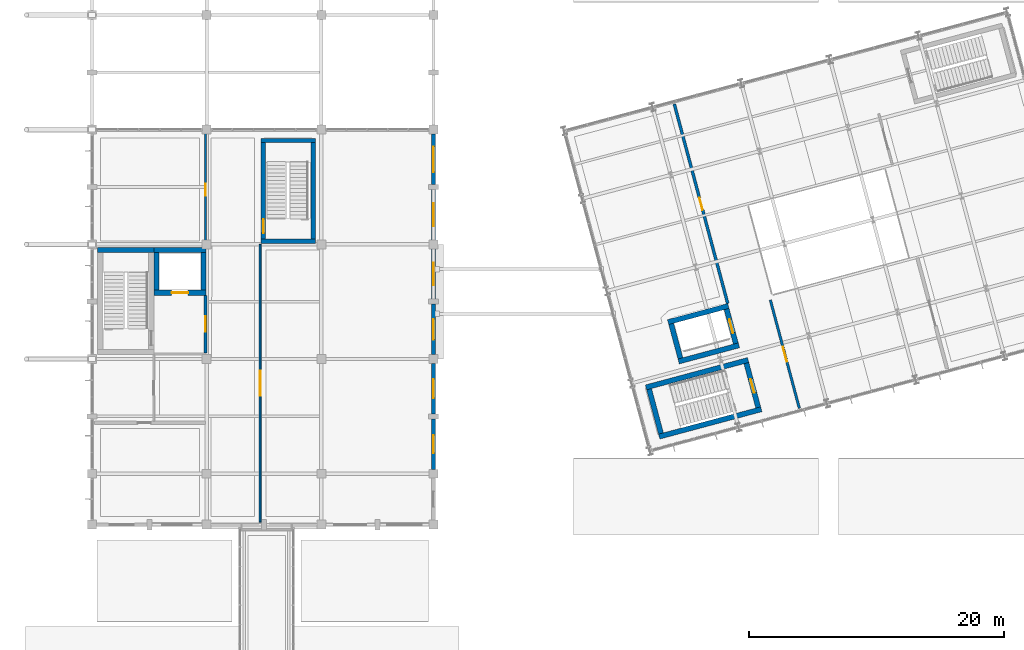
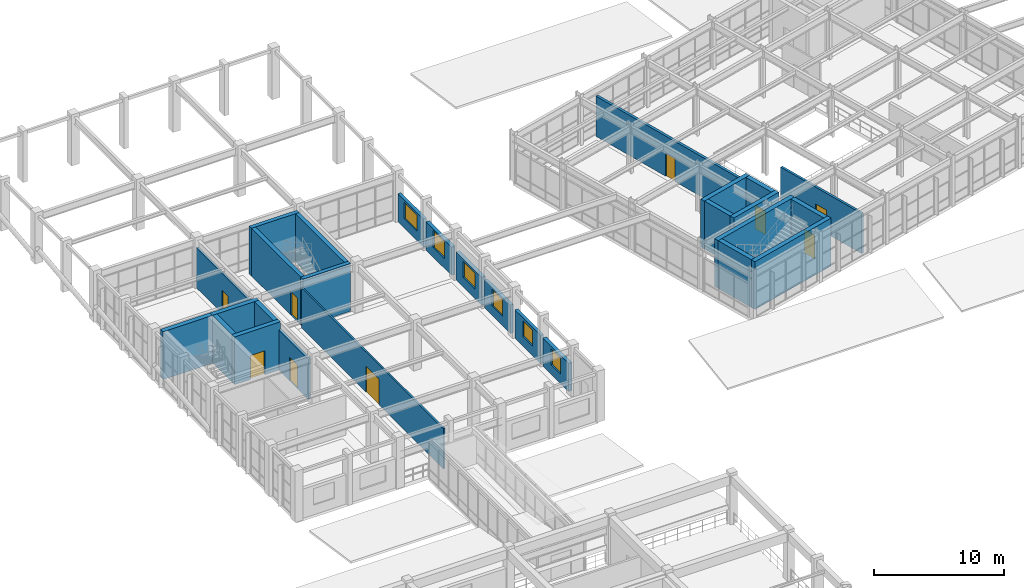
# One storey, part 83 of 104: 28 walls, 9 doors, 6 windows, 15 openings.
"""IFC4 building model written with IfcOpenShell, lengths in metres."""

from ifc_helpers import new_model, si_unit, direction, frame, frame_2d, origin, place, context, subcontext, project, spatial, rectangle, extrude, material, layer, layer_set, type_object, element, fill, save


model = new_model("IFC4")

# Units and contexts
model_context = context("Model", 3, precision=1e-05, world=origin(), true_north=direction((0.0, 1.0)))
body_context = subcontext(model_context, "Body", "Model", "MODEL_VIEW")
ifc_project = project(units=[si_unit("LENGTHUNIT", "METRE"), si_unit("AREAUNIT", "SQUARE_METRE"), si_unit("VOLUMEUNIT", "CUBIC_METRE"), si_unit("PLANEANGLEUNIT", "RADIAN"), si_unit("MASSUNIT", "GRAM", prefix="KILO")], contexts=[model_context])

# Site, building, storey
site_placement = place(None, origin())
site = spatial("IfcSite", under=ifc_project, at=site_placement, CompositionType="ELEMENT")
building_placement = place(site_placement, origin())
building = spatial("IfcBuilding", under=site, at=building_placement, Name="Ventoquebrada Cableway Terminal", CompositionType="ELEMENT")
storey_placement = place(building_placement, frame((0.0, 0.0, 4.800048828125)))
storey = spatial("IfcBuildingStorey", under=building, at=storey_placement, Name="L01", CompositionType="ELEMENT", Elevation=4.800048828125)

# Wall
ifc_material_1 = material(Name="Concrete C40/50", Category="concrete")
ifc_layer_1 = layer(ifc_material_1, 0.39990234375)
ifc_layer_set_1 = layer_set([ifc_layer_1], Name="Concrete C40/50")
wall_type_1 = type_object("IfcWallType", Name="WL-CR1", PredefinedType="SHEAR", material=ifc_layer_set_1)
wall_1_placement = place(storey_placement, frame((13.050048828125, 85.550048828125, 0.0), z_axis=(0.0, 0.0, 1.0), x_axis=(-1.0, 0.0, 0.0)))
element("IfcWall", 1, at=wall_1_placement, inside=storey, type_object=wall_type_1, Name="Core shear wall IW-0059", PredefinedType="SHEAR", context=body_context, shape_type="SweptSolid", body=[
    extrude(rectangle(XDim=4.400146484375, YDim=0.39990234375, at=frame_2d((2.2001953125, 0.0))), origin(), (0.0, 0.0, 1.0), 4.489990234375),
])

# Wall, opening, door
wall_2_placement = place(storey_placement, frame((13.050048828125, 82.199951171875, 0.0), z_axis=(0.0, 0.0, 1.0), x_axis=(1.0, 0.0, 0.0)))
wall_2 = element("IfcWall", 2, at=wall_2_placement, inside=storey, type_object=wall_type_1, Name="Core shear wall IW-0061", PredefinedType="SHEAR", context=body_context, shape_type="SweptSolid", body=[
    extrude(rectangle(XDim=4.099853515625, YDim=0.39990234375, at=frame_2d((2.0498046875, 0.0))), origin(), (0.0, 0.0, 1.0), 4.489990234375),
])
opening_1_placement = place(wall_2_placement, frame((1.39990234375, 0.0, 0.0)))
opening_1 = element("IfcOpeningElement", 3, at=opening_1_placement, cuts=wall_2, Name="Opening LD-007", PredefinedType="OPENING", context=body_context, shape_type="SweptSolid", body=[
    extrude(rectangle(XDim=1.300048828125, YDim=2.25, at=frame_2d((0.64990234375, 1.125))), frame((0.0, 0.2099609375, 0.0), z_axis=(0.0, -1.0, 0.0), x_axis=(1.0, 0.0, 0.0)), (0.0, 0.0, 1.0), 0.419921875),
])
ifc_material_2 = material(Name="Brushed stainless steel Grade 316", Category="steel")
door_type_1 = type_object("IfcDoorType", Name="DT-LD02", OperationType="SLIDING_TO_RIGHT", PredefinedType="DOOR", material=ifc_material_2)
door_1_placement = place(opening_1_placement, origin())
door_1 = element("IfcDoor", 4, at=door_1_placement, inside=storey, type_object=door_type_1, Name="Lift landing sliding door LD-007", OperationType="SLIDING_TO_RIGHT", OverallHeight=2.25, OverallWidth=1.300048828125, PredefinedType="DOOR", context=body_context, shape_type="SweptSolid", body=[
    extrude(rectangle(XDim=1.300048828125, YDim=2.25, at=frame_2d((0.64990234375, 1.125))), frame((0.0, 0.02490234375, 0.0), z_axis=(0.0, -1.0, 0.0), x_axis=(1.0, 0.0, 0.0)), (0.0, 0.0, 1.0), 0.050048828125),
])
fill(opening_1, door_1)

# Walls
wall_3_placement = place(storey_placement, frame((16.949951171875, 82.39990234375, 0.0), z_axis=(0.0, 0.0, 1.0), x_axis=(0.0, 1.0, 0.0)))
element("IfcWall", 5, at=wall_3_placement, inside=storey, type_object=wall_type_1, Name="Core shear wall IW-0062", PredefinedType="SHEAR", context=body_context, shape_type="SweptSolid", body=[
    extrude(rectangle(XDim=2.9501953125, YDim=0.39990234375, at=frame_2d((1.47509765625, 0.0))), origin(), (0.0, 0.0, 1.0), 4.489990234375),
])
wall_4_placement = place(storey_placement, frame((17.14990234375, 85.550048828125, 0.0), z_axis=(0.0, 0.0, 1.0), x_axis=(-1.0, 0.0, 0.0)))
element("IfcWall", 6, at=wall_4_placement, inside=storey, type_object=wall_type_1, Name="Core shear wall IW-0063", PredefinedType="SHEAR", context=body_context, shape_type="SweptSolid", body=[
    extrude(rectangle(XDim=4.099853515625, YDim=0.39990234375, at=frame_2d((2.0498046875, 0.0))), origin(), (0.0, 0.0, 1.0), 4.489990234375),
])
wall_5_placement = place(storey_placement, frame((13.25, 85.35009765625, 0.0), z_axis=(0.0, 0.0, 1.0), x_axis=(0.0, -1.0, 0.0)))
element("IfcWall", 7, at=wall_5_placement, inside=storey, type_object=wall_type_1, Name="Core shear wall IW-0064", PredefinedType="SHEAR", context=body_context, shape_type="SweptSolid", body=[
    extrude(rectangle(XDim=2.9501953125, YDim=0.39990234375, at=frame_2d((1.47509765625, 0.0))), origin(), (0.0, 0.0, 1.0), 4.489990234375),
])
wall_6_placement = place(storey_placement, frame((52.7109375, 70.912109375, 0.0), z_axis=(0.0, 0.0, 1.0), x_axis=(0.965903141159, 0.258903692322, 0.0)))
element("IfcWall", 8, at=wall_6_placement, inside=storey, type_object=wall_type_1, Name="Core shear wall IW-0105", PredefinedType="SHEAR", context=body_context, shape_type="SweptSolid", body=[
    extrude(rectangle(XDim=8.300048828125, YDim=0.39990234375, at=frame_2d((4.14990234375, 0.0))), origin(), (0.0, 0.0, 1.0), 4.489990234375),
])

# Wall, opening, door
wall_7_placement = place(storey_placement, frame((60.48291015625, 73.201904296875, 0.0), z_axis=(0.0, 0.0, 1.0), x_axis=(-0.258553052639, 0.965997059504, 0.0)))
wall_7 = element("IfcWall", 9, at=wall_7_placement, inside=storey, type_object=wall_type_1, Name="Core shear wall IW-0106", PredefinedType="SHEAR", context=body_context, shape_type="SweptSolid", body=[
    extrude(rectangle(XDim=3.600341796875, YDim=0.39990234375, at=frame_2d((1.80029296875, 0.0))), origin(), (0.0, 0.0, 1.0), 4.489990234375),
])
opening_2_placement = place(wall_7_placement, frame((1.199951171875, 0.0, 0.0)))
opening_2 = element("IfcOpeningElement", 10, at=opening_2_placement, cuts=wall_7, Name="Opening D-013", PredefinedType="OPENING", context=body_context, shape_type="SweptSolid", body=[
    extrude(rectangle(XDim=1.10009765625, YDim=2.199951171875, at=frame_2d((0.550048828125, 1.10009765625))), frame((0.0, 0.2099609375, 0.0), z_axis=(0.0, -1.0, 0.0), x_axis=(1.0, 0.0, 0.0)), (0.0, 0.0, 1.0), 0.419921875),
])
ifc_material_3 = material(Name="Galvanized fire-rated steel door assembly", Category="steel")
door_type_2 = type_object("IfcDoorType", Name="DT-IN05", OperationType="SINGLE_SWING_LEFT", PredefinedType="DOOR", material=ifc_material_3)
door_2_placement = place(opening_2_placement, origin())
door_2 = element("IfcDoor", 11, at=door_2_placement, inside=storey, type_object=door_type_2, Name="Core K2-S stair fire door D-013", OperationType="SINGLE_SWING_RIGHT", OverallHeight=2.199951171875, OverallWidth=1.10009765625, PredefinedType="DOOR", context=body_context, shape_type="SweptSolid", body=[
    extrude(rectangle(XDim=1.10009765625, YDim=2.199951171875, at=frame_2d((0.550048828125, 1.10009765625))), frame((0.0, 0.02490234375, 0.0), z_axis=(0.0, -1.0, 0.0), x_axis=(1.0, 0.0, 0.0)), (0.0, 0.0, 1.0), 0.050048828125),
])
fill(opening_2, door_2)

# Walls
wall_8_placement = place(storey_placement, frame((59.693115234375, 76.925048828125, 0.0), z_axis=(0.0, 0.0, 1.0), x_axis=(-0.965895785046, -0.258931134532, 0.0)))
element("IfcWall", 12, at=wall_8_placement, inside=storey, type_object=wall_type_1, Name="Core shear wall IW-0107", PredefinedType="SHEAR", context=body_context, shape_type="SweptSolid", body=[
    extrude(rectangle(XDim=8.300048828125, YDim=0.39990234375, at=frame_2d((4.14990234375, 0.0))), origin(), (0.0, 0.0, 1.0), 4.489990234375),
])
wall_9_placement = place(storey_placement, frame((51.9208984375, 74.635009765625, 0.0), z_axis=(0.0, 0.0, 1.0), x_axis=(0.258616326312, -0.965980121827, 0.0)))
element("IfcWall", 13, at=wall_9_placement, inside=storey, type_object=wall_type_1, Name="Core shear wall IW-0108", PredefinedType="SHEAR", context=body_context, shape_type="SweptSolid", body=[
    extrude(rectangle(XDim=3.6005859375, YDim=0.39990234375, at=frame_2d((1.80029296875, 0.0))), origin(), (0.0, 0.0, 1.0), 4.489990234375),
])
wall_10_placement = place(storey_placement, frame((54.237060546875, 76.80810546875, 0.0), z_axis=(0.0, 0.0, 1.0), x_axis=(0.96589421857, 0.258936977917, 0.0)))
element("IfcWall", 14, at=wall_10_placement, inside=storey, type_object=wall_type_1, Name="Core shear wall IW-0109", PredefinedType="SHEAR", context=body_context, shape_type="SweptSolid", body=[
    extrude(rectangle(XDim=4.900146484375, YDim=0.39990234375, at=frame_2d((2.4501953125, 0.0))), origin(), (0.0, 0.0, 1.0), 4.489990234375),
])

# Wall, opening, door
wall_11_placement = place(storey_placement, frame((58.72509765625, 78.218017578125, 0.0), z_axis=(0.0, 0.0, 1.0), x_axis=(-0.258585009686, 0.965988505504, 0.0)))
wall_11 = element("IfcWall", 15, at=wall_11_placement, inside=storey, type_object=wall_type_1, Name="Core shear wall IW-0110", PredefinedType="SHEAR", context=body_context, shape_type="SweptSolid", body=[
    extrude(rectangle(XDim=2.80029296875, YDim=0.39990234375, at=frame_2d((1.400146484375, 0.0))), origin(), (0.0, 0.0, 1.0), 4.489990234375),
])
opening_3_placement = place(wall_11_placement, frame((0.85009765625, 0.0, 0.0)))
opening_3 = element("IfcOpeningElement", 16, at=opening_3_placement, cuts=wall_11, Name="Opening LD-013", PredefinedType="OPENING", context=body_context, shape_type="SweptSolid", body=[
    extrude(rectangle(XDim=1.10009765625, YDim=2.199951171875, at=frame_2d((0.550048828125, 1.10009765625))), frame((0.0, 0.2099609375, 0.0), z_axis=(0.0, -1.0, 0.0), x_axis=(1.0, 0.0, 0.0)), (0.0, 0.0, 1.0), 0.419921875),
])
door_type_3 = type_object("IfcDoorType", Name="DT-LD01", OperationType="SLIDING_TO_LEFT", PredefinedType="DOOR", material=ifc_material_2)
door_3_placement = place(opening_3_placement, origin())
door_3 = element("IfcDoor", 17, at=door_3_placement, inside=storey, type_object=door_type_3, Name="Lift landing sliding door LD-013", OperationType="SLIDING_TO_RIGHT", OverallHeight=2.199951171875, OverallWidth=1.10009765625, PredefinedType="DOOR", context=body_context, shape_type="SweptSolid", body=[
    extrude(rectangle(XDim=1.10009765625, YDim=2.199951171875, at=frame_2d((0.550048828125, 1.10009765625))), frame((0.0, 0.02490234375, 0.0), z_axis=(0.0, -1.0, 0.0), x_axis=(1.0, 0.0, 0.0)), (0.0, 0.0, 1.0), 0.050048828125),
])
fill(opening_3, door_3)

# Walls
wall_12_placement = place(storey_placement, frame((58.14208984375, 81.16796875, 0.0), z_axis=(0.0, 0.0, 1.0), x_axis=(-0.965885097819, -0.258970998012, 0.0)))
element("IfcWall", 18, at=wall_12_placement, inside=storey, type_object=wall_type_1, Name="Core shear wall IW-0111", PredefinedType="SHEAR", context=body_context, shape_type="SweptSolid", body=[
    extrude(rectangle(XDim=4.900390625, YDim=0.39990234375, at=frame_2d((2.4501953125, 0.0))), origin(), (0.0, 0.0, 1.0), 4.489990234375),
])
wall_13_placement = place(storey_placement, frame((53.654052734375, 79.758056640625, 0.0), z_axis=(0.0, 0.0, 1.0), x_axis=(0.258503653459, -0.966010280043, 0.0)))
element("IfcWall", 19, at=wall_13_placement, inside=storey, type_object=wall_type_1, Name="Core shear wall IW-0112", PredefinedType="SHEAR", context=body_context, shape_type="SweptSolid", body=[
    extrude(rectangle(XDim=2.80029296875, YDim=0.39990234375, at=frame_2d((1.400146484375, 0.0))), origin(), (0.0, 0.0, 1.0), 4.489990234375),
])

# Wall, opening, window
ifc_material_4 = material(Name="Precast architectural concrete C40/50", Category="concrete")
ifc_layer_2 = layer(ifc_material_4, 0.280029296875)
ifc_layer_set_2 = layer_set([ifc_layer_2], Name="Precast architectural concrete C40/50")
wall_type_2 = type_object("IfcWallType", Name="WL-EX1", PredefinedType="SOLIDWALL", material=ifc_layer_set_2)
wall_14_placement = place(storey_placement, frame((35.0, 72.695068359375, 0.0), z_axis=(0.0, 0.0, 1.0), x_axis=(0.0, 1.0, 0.0)))
wall_14 = element("IfcWall", 20, at=wall_14_placement, inside=storey, type_object=wall_type_2, Name="Exterior architectural wall EW-0149", PredefinedType="SOLIDWALL", context=body_context, shape_type="SweptSolid", body=[
    extrude(rectangle(XDim=3.9599609375, YDim=0.280029296875, at=frame_2d((1.97998046875, 0.0))), origin(), (0.0, 0.0, 1.0), 2.64794921875),
])
opening_4_placement = place(wall_14_placement, frame((1.22998046875, 0.0, 0.89990234375)))
opening_4 = element("IfcOpeningElement", 21, at=opening_4_placement, cuts=wall_14, Name="Opening WN-063", PredefinedType="OPENING", context=body_context, shape_type="SweptSolid", body=[
    extrude(rectangle(XDim=1.5, YDim=1.5, at=frame_2d((0.75, 0.75))), frame((0.0, 0.14990234375, 0.0), z_axis=(0.0, -1.0, 0.0), x_axis=(1.0, 0.0, 0.0)), (0.0, 0.0, 1.0), 0.300048828125),
])
ifc_material_5 = material(Name="Double low-e laminated safety glazing", Category="glass")
window_type_1 = type_object("IfcWindowType", Name="WT-03", PartitioningType="SINGLE_PANEL", PredefinedType="WINDOW", material=ifc_material_5)
window_1_placement = place(opening_4_placement, origin())
window_1 = element("IfcWindow", 22, at=window_1_placement, inside=storey, type_object=window_type_1, Name="Architectural punched window WN-063", OverallHeight=1.5, OverallWidth=1.5, PartitioningType="SINGLE_PANEL", PredefinedType="WINDOW", context=body_context, shape_type="SweptSolid", body=[
    extrude(rectangle(XDim=1.5, YDim=1.5, at=frame_2d((0.75, 0.75))), frame((0.0, 0.030029296875, 0.0), z_axis=(0.0, -1.0, 0.0), x_axis=(1.0, 0.0, 0.0)), (0.0, 0.0, 1.0), 0.06005859375),
])
fill(opening_4, window_1)

wall_15_placement = place(storey_placement, frame((35.0, 77.344970703125, 0.0), z_axis=(0.0, 0.0, 1.0), x_axis=(0.0, 1.0, 0.0)))
wall_15 = element("IfcWall", 23, at=wall_15_placement, inside=storey, type_object=wall_type_2, Name="Exterior architectural wall EW-0150", PredefinedType="SOLIDWALL", context=body_context, shape_type="SweptSolid", body=[
    extrude(rectangle(XDim=3.9599609375, YDim=0.280029296875, at=frame_2d((1.97998046875, 0.0))), origin(), (0.0, 0.0, 1.0), 2.64794921875),
])
opening_5_placement = place(wall_15_placement, frame((1.179931640625, 0.0, 0.89990234375)))
opening_5 = element("IfcOpeningElement", 24, at=opening_5_placement, cuts=wall_15, Name="Opening WN-064", PredefinedType="OPENING", context=body_context, shape_type="SweptSolid", body=[
    extrude(rectangle(XDim=1.60009765625, YDim=1.550048828125, at=frame_2d((0.800048828125, 0.77490234375))), frame((0.0, 0.14990234375, 0.0), z_axis=(0.0, -1.0, 0.0), x_axis=(1.0, 0.0, 0.0)), (0.0, 0.0, 1.0), 0.300048828125),
])
window_type_2 = type_object("IfcWindowType", Name="WT-04", PartitioningType="SINGLE_PANEL", PredefinedType="WINDOW", material=ifc_material_5)
window_2_placement = place(opening_5_placement, origin())
window_2 = element("IfcWindow", 25, at=window_2_placement, inside=storey, type_object=window_type_2, Name="Architectural punched window WN-064", OverallHeight=1.550048828125, OverallWidth=1.60009765625, PartitioningType="SINGLE_PANEL", PredefinedType="WINDOW", context=body_context, shape_type="SweptSolid", body=[
    extrude(rectangle(XDim=1.60009765625, YDim=1.550048828125, at=frame_2d((0.800048828125, 0.77490234375))), frame((0.0, 0.030029296875, 0.0), z_axis=(0.0, -1.0, 0.0), x_axis=(1.0, 0.0, 0.0)), (0.0, 0.0, 1.0), 0.06005859375),
])
fill(opening_5, window_2)

wall_16_placement = place(storey_placement, frame((35.0, 90.695068359375, 0.0), z_axis=(0.0, 0.0, 1.0), x_axis=(0.0, 1.0, 0.0)))
wall_16 = element("IfcWall", 26, at=wall_16_placement, inside=storey, type_object=wall_type_2, Name="Exterior architectural wall EW-0153", PredefinedType="SOLIDWALL", context=body_context, shape_type="SweptSolid", body=[
    extrude(rectangle(XDim=3.9599609375, YDim=0.280029296875, at=frame_2d((1.97998046875, 0.0))), origin(), (0.0, 0.0, 1.0), 2.64794921875),
])
opening_6_placement = place(wall_16_placement, frame((0.97998046875, 0.0, 0.89990234375)))
opening_6 = element("IfcOpeningElement", 27, at=opening_6_placement, cuts=wall_16, Name="Opening WN-067", PredefinedType="OPENING", context=body_context, shape_type="SweptSolid", body=[
    extrude(rectangle(XDim=2.0, YDim=1.5, at=frame_2d((1.0, 0.75))), frame((0.0, 0.14990234375, 0.0), z_axis=(0.0, -1.0, 0.0), x_axis=(1.0, 0.0, 0.0)), (0.0, 0.0, 1.0), 0.300048828125),
])
window_type_3 = type_object("IfcWindowType", Name="WT-07", PartitioningType="SINGLE_PANEL", PredefinedType="WINDOW", material=ifc_material_5)
window_3_placement = place(opening_6_placement, origin())
window_3 = element("IfcWindow", 28, at=window_3_placement, inside=storey, type_object=window_type_3, Name="Architectural punched window WN-067", OverallHeight=1.5, OverallWidth=2.0, PartitioningType="SINGLE_PANEL", PredefinedType="WINDOW", context=body_context, shape_type="SweptSolid", body=[
    extrude(rectangle(XDim=2.0, YDim=1.5, at=frame_2d((1.0, 0.75))), frame((0.0, 0.030029296875, 0.0), z_axis=(0.0, -1.0, 0.0), x_axis=(1.0, 0.0, 0.0)), (0.0, 0.0, 1.0), 0.06005859375),
])
fill(opening_6, window_3)

ifc_layer_3 = layer(ifc_material_4, 0.320068359375)
ifc_layer_set_3 = layer_set([ifc_layer_3], Name="Precast architectural concrete C40/50")
wall_type_3 = type_object("IfcWallType", Name="WL-EX2", PredefinedType="SOLIDWALL", material=ifc_layer_set_3)
wall_17_placement = place(storey_placement, frame((35.0, 68.344970703125, 0.0), z_axis=(0.0, 0.0, 1.0), x_axis=(0.0, 1.0, 0.0)))
wall_17 = element("IfcWall", 29, at=wall_17_placement, inside=storey, type_object=wall_type_3, Name="Exterior architectural wall EW-0148", PredefinedType="SOLIDWALL", context=body_context, shape_type="SweptSolid", body=[
    extrude(rectangle(XDim=3.9599609375, YDim=0.320068359375, at=frame_2d((1.97998046875, 0.0))), origin(), (0.0, 0.0, 1.0), 2.64794921875),
])
opening_7_placement = place(wall_17_placement, frame((1.280029296875, 0.0, 0.89990234375)))
opening_7 = element("IfcOpeningElement", 30, at=opening_7_placement, cuts=wall_17, Name="Opening WN-062", PredefinedType="OPENING", context=body_context, shape_type="SweptSolid", body=[
    extrude(rectangle(XDim=1.39990234375, YDim=1.5, at=frame_2d((0.699951171875, 0.75))), frame((0.0, 0.169921875, 0.0), z_axis=(0.0, -1.0, 0.0), x_axis=(1.0, 0.0, 0.0)), (0.0, 0.0, 1.0), 0.340087890625),
])
window_type_4 = type_object("IfcWindowType", Name="WT-02", PartitioningType="SINGLE_PANEL", PredefinedType="WINDOW", material=ifc_material_5)
window_4_placement = place(opening_7_placement, origin())
window_4 = element("IfcWindow", 31, at=window_4_placement, inside=storey, type_object=window_type_4, Name="Architectural punched window WN-062", OverallHeight=1.5, OverallWidth=1.39990234375, PartitioningType="SINGLE_PANEL", PredefinedType="WINDOW", context=body_context, shape_type="SweptSolid", body=[
    extrude(rectangle(XDim=1.39990234375, YDim=1.5, at=frame_2d((0.699951171875, 0.75))), frame((0.0, 0.030029296875, 0.0), z_axis=(0.0, -1.0, 0.0), x_axis=(1.0, 0.0, 0.0)), (0.0, 0.0, 1.0), 0.06005859375),
])
fill(opening_7, window_4)

wall_18_placement = place(storey_placement, frame((35.0, 81.695068359375, 0.0), z_axis=(0.0, 0.0, 1.0), x_axis=(0.0, 1.0, 0.0)))
wall_18 = element("IfcWall", 32, at=wall_18_placement, inside=storey, type_object=wall_type_3, Name="Exterior architectural wall EW-0151", PredefinedType="SOLIDWALL", context=body_context, shape_type="SweptSolid", body=[
    extrude(rectangle(XDim=3.9599609375, YDim=0.320068359375, at=frame_2d((1.97998046875, 0.0))), origin(), (0.0, 0.0, 1.0), 2.64794921875),
])
opening_8_placement = place(wall_18_placement, frame((1.080078125, 0.0, 0.89990234375)))
opening_8 = element("IfcOpeningElement", 33, at=opening_8_placement, cuts=wall_18, Name="Opening WN-065", PredefinedType="OPENING", context=body_context, shape_type="SweptSolid", body=[
    extrude(rectangle(XDim=1.800048828125, YDim=1.5, at=frame_2d((0.89990234375, 0.75))), frame((0.0, 0.169921875, 0.0), z_axis=(0.0, -1.0, 0.0), x_axis=(1.0, 0.0, 0.0)), (0.0, 0.0, 1.0), 0.340087890625),
])
window_type_5 = type_object("IfcWindowType", Name="WT-05", PartitioningType="SINGLE_PANEL", PredefinedType="WINDOW", material=ifc_material_5)
window_5_placement = place(opening_8_placement, origin())
window_5 = element("IfcWindow", 34, at=window_5_placement, inside=storey, type_object=window_type_5, Name="Architectural punched window WN-065", OverallHeight=1.5, OverallWidth=1.800048828125, PartitioningType="SINGLE_PANEL", PredefinedType="WINDOW", context=body_context, shape_type="SweptSolid", body=[
    extrude(rectangle(XDim=1.800048828125, YDim=1.5, at=frame_2d((0.89990234375, 0.75))), frame((0.0, 0.030029296875, 0.0), z_axis=(0.0, -1.0, 0.0), x_axis=(1.0, 0.0, 0.0)), (0.0, 0.0, 1.0), 0.06005859375),
])
fill(opening_8, window_5)

wall_19_placement = place(storey_placement, frame((35.0, 86.344970703125, 0.0), z_axis=(0.0, 0.0, 1.0), x_axis=(0.0, 1.0, 0.0)))
wall_19 = element("IfcWall", 35, at=wall_19_placement, inside=storey, type_object=wall_type_3, Name="Exterior architectural wall EW-0152", PredefinedType="SOLIDWALL", context=body_context, shape_type="SweptSolid", body=[
    extrude(rectangle(XDim=3.9599609375, YDim=0.320068359375, at=frame_2d((1.97998046875, 0.0))), origin(), (0.0, 0.0, 1.0), 2.64794921875),
])
opening_9_placement = place(wall_19_placement, frame((1.080078125, 0.0, 0.89990234375)))
opening_9 = element("IfcOpeningElement", 36, at=opening_9_placement, cuts=wall_19, Name="Opening WN-066", PredefinedType="OPENING", context=body_context, shape_type="SweptSolid", body=[
    extrude(rectangle(XDim=1.800048828125, YDim=1.60009765625, at=frame_2d((0.89990234375, 0.800048828125))), frame((0.0, 0.169921875, 0.0), z_axis=(0.0, -1.0, 0.0), x_axis=(1.0, 0.0, 0.0)), (0.0, 0.0, 1.0), 0.340087890625),
])
window_type_6 = type_object("IfcWindowType", Name="WT-06", PartitioningType="SINGLE_PANEL", PredefinedType="WINDOW", material=ifc_material_5)
window_6_placement = place(opening_9_placement, origin())
window_6 = element("IfcWindow", 37, at=window_6_placement, inside=storey, type_object=window_type_6, Name="Architectural punched window WN-066", OverallHeight=1.60009765625, OverallWidth=1.800048828125, PartitioningType="SINGLE_PANEL", PredefinedType="WINDOW", context=body_context, shape_type="SweptSolid", body=[
    extrude(rectangle(XDim=1.800048828125, YDim=1.60009765625, at=frame_2d((0.89990234375, 0.800048828125))), frame((0.0, 0.030029296875, 0.0), z_axis=(0.0, -1.0, 0.0), x_axis=(1.0, 0.0, 0.0)), (0.0, 0.0, 1.0), 0.06005859375),
])
fill(opening_9, window_6)

# Wall, opening, door
ifc_material_6 = material(Name="Fire-rated gypsum partition board on steel framing", Category="steel")
ifc_layer_4 = layer(ifc_material_6, 0.14990234375)
ifc_layer_set_4 = layer_set([ifc_layer_4], Name="Fire-rated gypsum partition board on steel framing")
wall_type_4 = type_object("IfcWallType", Name="WL-PT2", PredefinedType="PARTITIONING", material=ifc_layer_set_4)
wall_20_placement = place(storey_placement, frame((21.39990234375, 64.199951171875, 0.0), z_axis=(0.0, 0.0, 1.0), x_axis=(0.0, 1.0, 0.0)))
wall_20 = element("IfcWall", 38, at=wall_20_placement, inside=storey, type_object=wall_type_4, Name="Interior partition IW-0362", PredefinedType="PARTITIONING", context=body_context, shape_type="SweptSolid", body=[
    extrude(rectangle(XDim=21.800048828125, YDim=0.14990234375, at=frame_2d((10.89990234375, 0.0))), origin(), (0.0, 0.0, 1.0), 3.761962890625),
])
opening_10_placement = place(wall_20_placement, frame((9.89990234375, 0.0, 0.0)))
opening_10 = element("IfcOpeningElement", 39, at=opening_10_placement, cuts=wall_20, Name="Opening D-093", PredefinedType="OPENING", context=body_context, shape_type="SweptSolid", body=[
    extrude(rectangle(XDim=2.0, YDim=2.39990234375, at=frame_2d((1.0, 1.199951171875))), frame((0.0, 0.0849609375, 0.0), z_axis=(0.0, -1.0, 0.0), x_axis=(1.0, 0.0, 0.0)), (0.0, 0.0, 1.0), 0.169921875),
])
door_type_4 = type_object("IfcDoorType", Name="DT-IN09", OperationType="DOUBLE_DOOR_SINGLE_SWING", PredefinedType="DOOR", material=ifc_material_3)
door_4_placement = place(opening_10_placement, origin())
door_4 = element("IfcDoor", 40, at=door_4_placement, inside=storey, type_object=door_type_4, Name="Interpretive Gallery Door D-093", OperationType="DOUBLE_DOOR_SINGLE_SWING", OverallHeight=2.39990234375, OverallWidth=2.0, PredefinedType="DOOR", context=body_context, shape_type="SweptSolid", body=[
    extrude(rectangle(XDim=2.0, YDim=2.39990234375, at=frame_2d((1.0, 1.199951171875))), frame((0.0, 0.02490234375, 0.0), z_axis=(0.0, -1.0, 0.0), x_axis=(1.0, 0.0, 0.0)), (0.0, 0.0, 1.0), 0.050048828125),
])
fill(opening_10, door_4)

ifc_layer_5 = layer(ifc_material_6, 0.179931640625)
ifc_layer_set_5 = layer_set([ifc_layer_5], Name="Fire-rated gypsum partition board on steel framing")
wall_type_5 = type_object("IfcWallType", Name="WL-PT3", PredefinedType="STANDARD", material=ifc_layer_set_5)
wall_21_placement = place(storey_placement, frame((17.10009765625, 85.800048828125, 0.0), z_axis=(0.0, 0.0, 1.0), x_axis=(0.0, 1.0, 0.0)))
wall_21 = element("IfcWall", 41, at=wall_21_placement, inside=storey, type_object=wall_type_5, Name="Interior partition IW-0363", PredefinedType="STANDARD", context=body_context, shape_type="SweptSolid", body=[
    extrude(rectangle(XDim=9.0, YDim=0.179931640625, at=frame_2d((4.5, 0.0))), origin(), (0.0, 0.0, 1.0), 3.761962890625),
])
opening_11_placement = place(wall_21_placement, frame((4.02490234375, 0.0, 0.0)))
opening_11 = element("IfcOpeningElement", 42, at=opening_11_placement, cuts=wall_21, Name="Opening D-094", PredefinedType="OPENING", context=body_context, shape_type="SweptSolid", body=[
    extrude(rectangle(XDim=0.949951171875, YDim=2.14990234375, at=frame_2d((0.47509765625, 1.074951171875))), frame((0.0, 0.099853515625, 0.0), z_axis=(0.0, -1.0, 0.0), x_axis=(1.0, 0.0, 0.0)), (0.0, 0.0, 1.0), 0.199951171875),
])
ifc_material_7 = material(Name="Fire-retardant oak acoustic door leaf")
door_type_5 = type_object("IfcDoorType", Name="DT-IN01", OperationType="SINGLE_SWING_LEFT", PredefinedType="DOOR", material=ifc_material_7)
door_5_placement = place(opening_11_placement, origin())
door_5 = element("IfcDoor", 43, at=door_5_placement, inside=storey, type_object=door_type_5, Name="Mezzanine Pastry Bar Door D-094", OperationType="SINGLE_SWING_LEFT", OverallHeight=2.14990234375, OverallWidth=0.949951171875, PredefinedType="DOOR", context=body_context, shape_type="SweptSolid", body=[
    extrude(rectangle(XDim=0.949951171875, YDim=2.14990234375, at=frame_2d((0.47509765625, 1.074951171875))), frame((0.0, 0.02490234375, 0.0), z_axis=(0.0, -1.0, 0.0), x_axis=(1.0, 0.0, 0.0)), (0.0, 0.0, 1.0), 0.050048828125),
])
fill(opening_11, door_5)

ifc_material_8 = material(Name="Autoclaved aerated concrete blockwork", Category="masonry")
ifc_layer_6 = layer(ifc_material_8, 0.199951171875)
ifc_layer_set_6 = layer_set([ifc_layer_6], Name="Autoclaved aerated concrete blockwork")
wall_type_6 = type_object("IfcWallType", Name="WL-PT4", PredefinedType="PARTITIONING", material=ifc_layer_set_6)
wall_22_placement = place(storey_placement, frame((63.7109375, 73.135009765625, 0.0), z_axis=(0.0, 0.0, 1.0), x_axis=(-0.258847024572, 0.965918328778, 0.0)))
wall_22 = element("IfcWall", 44, at=wall_22_placement, inside=storey, type_object=wall_type_6, Name="Interior partition IW-0364", PredefinedType="PARTITIONING", context=body_context, shape_type="SweptSolid", body=[
    extrude(rectangle(XDim=8.7998046875, YDim=0.199951171875, at=frame_2d((4.39990234375, 0.0))), origin(), (0.0, 0.0, 1.0), 3.77197265625),
])
opening_12_placement = place(wall_22_placement, frame((3.800048828125, 0.0, 0.0)))
opening_12 = element("IfcOpeningElement", 45, at=opening_12_placement, cuts=wall_22, Name="Opening D-095", PredefinedType="OPENING", context=body_context, shape_type="SweptSolid", body=[
    extrude(rectangle(XDim=1.199951171875, YDim=2.199951171875, at=frame_2d((0.60009765625, 1.10009765625))), frame((0.0, 0.10986328125, 0.0), z_axis=(0.0, -1.0, 0.0), x_axis=(1.0, 0.0, 0.0)), (0.0, 0.0, 1.0), 0.219970703125),
])
door_type_6 = type_object("IfcDoorType", Name="DT-IN06", OperationType="SINGLE_SWING_RIGHT", PredefinedType="DOOR", material=ifc_material_3)
door_6_placement = place(opening_12_placement, origin())
door_6 = element("IfcDoor", 46, at=door_6_placement, inside=storey, type_object=door_type_6, Name="K2 Mezzanine Lobby Door D-095", OperationType="SINGLE_SWING_RIGHT", OverallHeight=2.199951171875, OverallWidth=1.199951171875, PredefinedType="DOOR", context=body_context, shape_type="SweptSolid", body=[
    extrude(rectangle(XDim=1.199951171875, YDim=2.199951171875, at=frame_2d((0.60009765625, 1.10009765625))), frame((0.0, 0.02490234375, 0.0), z_axis=(0.0, -1.0, 0.0), x_axis=(1.0, 0.0, 0.0)), (0.0, 0.0, 1.0), 0.050048828125),
])
fill(opening_12, door_6)

ifc_layer_7 = layer(ifc_material_8, 0.22998046875)
ifc_layer_set_7 = layer_set([ifc_layer_7], Name="Autoclaved aerated concrete blockwork")
wall_type_7 = type_object("IfcWallType", Name="WL-PT5", PredefinedType="PARTITIONING", material=ifc_layer_set_7)
wall_23_placement = place(storey_placement, frame((58.090087890625, 81.35888671875, 0.0), z_axis=(0.0, 0.0, 1.0), x_axis=(-0.258800106385, 0.965930900704, 0.0)))
wall_23 = element("IfcWall", 47, at=wall_23_placement, inside=storey, type_object=wall_type_7, Name="Interior partition IW-0365", PredefinedType="PARTITIONING", context=body_context, shape_type="SweptSolid", body=[
    extrude(rectangle(XDim=16.2021484375, YDim=0.22998046875, at=frame_2d((8.10107421875, 0.0))), origin(), (0.0, 0.0, 1.0), 3.77197265625),
])
opening_13_placement = place(wall_23_placement, frame((7.60107421875, 0.0, 0.0)))
opening_13 = element("IfcOpeningElement", 48, at=opening_13_placement, cuts=wall_23, Name="Opening D-096", PredefinedType="OPENING", context=body_context, shape_type="SweptSolid", body=[
    extrude(rectangle(XDim=1.0, YDim=2.14990234375, at=frame_2d((0.5, 1.074951171875))), frame((0.0, 0.125, 0.0), z_axis=(0.0, -1.0, 0.0), x_axis=(1.0, 0.0, 0.0)), (0.0, 0.0, 1.0), 0.25),
])
door_type_7 = type_object("IfcDoorType", Name="DT-IN02", OperationType="SINGLE_SWING_RIGHT", PredefinedType="DOOR", material=ifc_material_7)
door_7_placement = place(opening_13_placement, origin())
door_7 = element("IfcDoor", 49, at=door_7_placement, inside=storey, type_object=door_type_7, Name="Operators Break Room Door D-096", OperationType="SINGLE_SWING_LEFT", OverallHeight=2.14990234375, OverallWidth=1.0, PredefinedType="DOOR", context=body_context, shape_type="SweptSolid", body=[
    extrude(rectangle(XDim=1.0, YDim=2.14990234375, at=frame_2d((0.5, 1.074951171875))), frame((0.0, 0.02490234375, 0.0), z_axis=(0.0, -1.0, 0.0), x_axis=(1.0, 0.0, 0.0)), (0.0, 0.0, 1.0), 0.050048828125),
])
fill(opening_13, door_7)

ifc_layer_8 = layer(ifc_material_8, 0.215087890625)
ifc_layer_set_8 = layer_set([ifc_layer_8], Name="Autoclaved aerated concrete blockwork")
wall_type_8 = type_object("IfcWallType", Name="WL-PT9", PredefinedType="PARTITIONING", material=ifc_layer_set_8)
wall_24_placement = place(storey_placement, frame((17.10009765625, 77.48095703125, 0.0), z_axis=(0.0, 0.0, 1.0), x_axis=(0.0, 1.0, 0.0)))
wall_24 = element("IfcWall", 50, at=wall_24_placement, inside=storey, type_object=wall_type_8, Name="Interior partition IW-0359", PredefinedType="PARTITIONING", context=body_context, shape_type="SweptSolid", body=[
    extrude(rectangle(XDim=4.51904296875, YDim=0.215087890625, at=frame_2d((2.259521484375, 0.0))), origin(), (0.0, 0.0, 1.0), 3.761962890625),
])
opening_14_placement = place(wall_24_placement, frame((1.659912109375, 0.0, 0.0)))
opening_14 = element("IfcOpeningElement", 51, at=opening_14_placement, cuts=wall_24, Name="Opening D-090", PredefinedType="OPENING", context=body_context, shape_type="SweptSolid", body=[
    extrude(rectangle(XDim=1.199951171875, YDim=2.199951171875, at=frame_2d((0.60009765625, 1.10009765625))), frame((0.0, 0.117431640625, 0.0), z_axis=(0.0, -1.0, 0.0), x_axis=(1.0, 0.0, 0.0)), (0.0, 0.0, 1.0), 0.235107421875),
])
door_8_placement = place(opening_14_placement, origin())
door_8 = element("IfcDoor", 52, at=door_8_placement, inside=storey, type_object=door_type_6, Name="K3 Firefighting Lobby Door D-090", OperationType="SINGLE_SWING_LEFT", OverallHeight=2.199951171875, OverallWidth=1.199951171875, PredefinedType="DOOR", context=body_context, shape_type="SweptSolid", body=[
    extrude(rectangle(XDim=1.199951171875, YDim=2.199951171875, at=frame_2d((0.60009765625, 1.10009765625))), frame((0.0, 0.02490234375, 0.0), z_axis=(0.0, -1.0, 0.0), x_axis=(1.0, 0.0, 0.0)), (0.0, 0.0, 1.0), 0.050048828125),
])
fill(opening_14, door_8)

# Walls
ifc_layer_9 = layer(ifc_material_1, 0.35009765625)
ifc_layer_set_9 = layer_set([ifc_layer_9], Name="Concrete C40/50")
wall_type_9 = type_object("IfcWallType", Name="WL-SH1", PredefinedType="SHEAR", material=ifc_layer_set_9)
wall_25_placement = place(storey_placement, frame((21.47509765625, 86.25, 0.0), z_axis=(0.0, 0.0, 1.0), x_axis=(1.0, 0.0, 0.0)))
element("IfcWall", 53, at=wall_25_placement, inside=storey, type_object=wall_type_9, Name="Core shear wall IW-0213", PredefinedType="SHEAR", context=body_context, shape_type="SweptSolid", body=[
    extrude(rectangle(XDim=4.25, YDim=0.35009765625, at=frame_2d((2.125, 0.0))), origin(), (0.0, 0.0, 1.0), 4.489990234375),
])
wall_26_placement = place(storey_placement, frame((25.550048828125, 86.425048828125, 0.0), z_axis=(0.0, 0.0, 1.0), x_axis=(0.0, 1.0, 0.0)))
element("IfcWall", 54, at=wall_26_placement, inside=storey, type_object=wall_type_9, Name="Core shear wall IW-0214", PredefinedType="SHEAR", context=body_context, shape_type="SweptSolid", body=[
    extrude(rectangle(XDim=7.550048828125, YDim=0.35009765625, at=frame_2d((3.77490234375, 0.0))), origin(), (0.0, 0.0, 1.0), 4.489990234375),
])
wall_27_placement = place(storey_placement, frame((25.72509765625, 94.14990234375, 0.0), z_axis=(0.0, 0.0, 1.0), x_axis=(-1.0, 0.0, 0.0)))
element("IfcWall", 55, at=wall_27_placement, inside=storey, type_object=wall_type_9, Name="Core shear wall IW-0215", PredefinedType="SHEAR", context=body_context, shape_type="SweptSolid", body=[
    extrude(rectangle(XDim=4.25, YDim=0.35009765625, at=frame_2d((2.125, 0.0))), origin(), (0.0, 0.0, 1.0), 4.489990234375),
])

# Wall, opening, door
wall_28_placement = place(storey_placement, frame((21.64990234375, 93.97509765625, 0.0), z_axis=(0.0, 0.0, 1.0), x_axis=(0.0, -1.0, 0.0)))
wall_28 = element("IfcWall", 56, at=wall_28_placement, inside=storey, type_object=wall_type_9, Name="Core shear wall IW-0216", PredefinedType="SHEAR", context=body_context, shape_type="SweptSolid", body=[
    extrude(rectangle(XDim=7.550048828125, YDim=0.35009765625, at=frame_2d((3.77490234375, 0.0))), origin(), (0.0, 0.0, 1.0), 4.489990234375),
])
opening_15_placement = place(wall_28_placement, frame((6.0, 0.0, 0.0)))
opening_15 = element("IfcOpeningElement", 57, at=opening_15_placement, cuts=wall_28, Name="Opening D-029", PredefinedType="OPENING", context=body_context, shape_type="SweptSolid", body=[
    extrude(rectangle(XDim=1.10009765625, YDim=2.199951171875, at=frame_2d((0.550048828125, 1.10009765625))), frame((0.0, 0.18505859375, 0.0), z_axis=(0.0, -1.0, 0.0), x_axis=(1.0, 0.0, 0.0)), (0.0, 0.0, 1.0), 0.3701171875),
])
door_9_placement = place(opening_15_placement, origin())
door_9 = element("IfcDoor", 58, at=door_9_placement, inside=storey, type_object=door_type_2, Name="Core V3-SEC stair fire door D-029", OperationType="SINGLE_SWING_RIGHT", OverallHeight=2.199951171875, OverallWidth=1.10009765625, PredefinedType="DOOR", context=body_context, shape_type="SweptSolid", body=[
    extrude(rectangle(XDim=1.10009765625, YDim=2.199951171875, at=frame_2d((0.550048828125, 1.10009765625))), frame((0.0, 0.02490234375, 0.0), z_axis=(0.0, -1.0, 0.0), x_axis=(1.0, 0.0, 0.0)), (0.0, 0.0, 1.0), 0.050048828125),
])
fill(opening_15, door_9)

save(model, "model.ifc")
